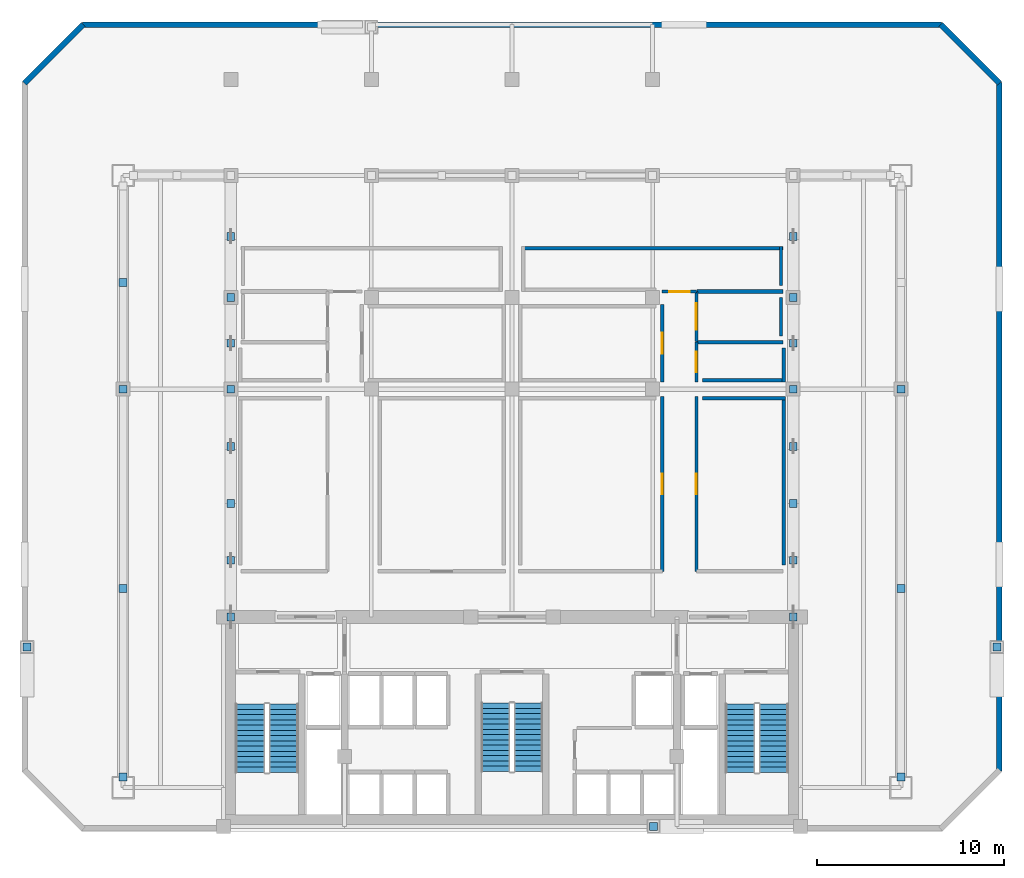
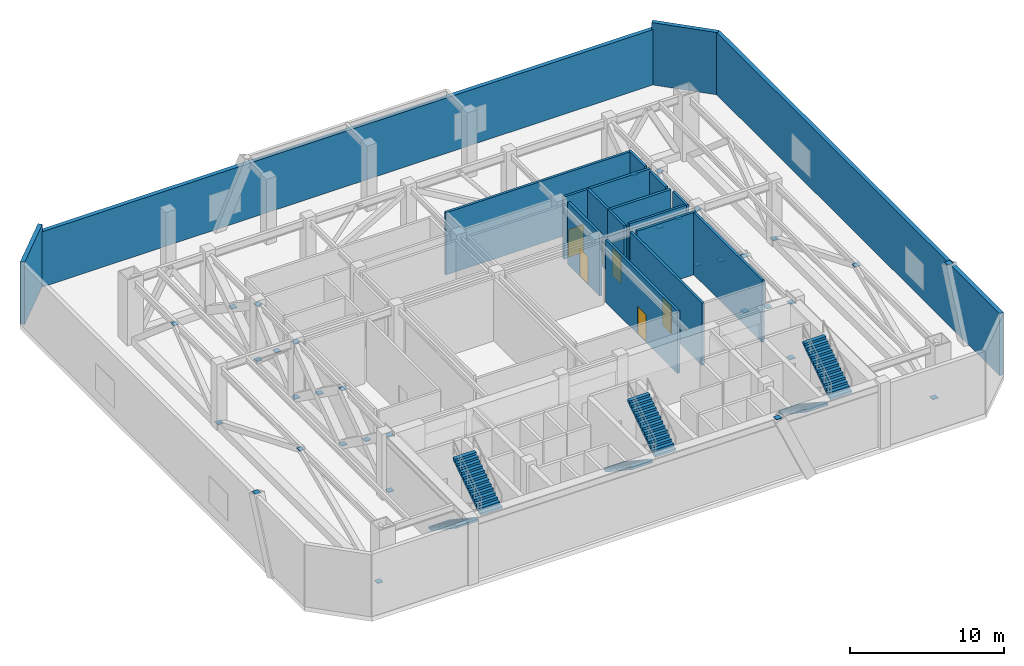
# One storey, part 7 of 10: 34 discrete accessories, 19 walls, 6 doors, 6 stair flights, 6 openings, 3 elements without a shape of their own.
"""IFC4 building model written with IfcOpenShell, lengths in metres."""

from ifc_helpers import new_model, si_unit, direction, frame, frame_2d, origin, origin_2d, place, context, subcontext, project, spatial, polyline, rectangle, outline, extrude, material, layer, layer_set, type_object, element, fill, aggregate, save


model = new_model("IFC4")

# Units and contexts
model_context = context("Model", 3, precision=1e-05, world=origin(), true_north=direction((0.0, 1.0)))
body_context = subcontext(model_context, "Body", "Model", "MODEL_VIEW")
ifc_project = project(units=[si_unit("LENGTHUNIT", "METRE"), si_unit("AREAUNIT", "SQUARE_METRE"), si_unit("VOLUMEUNIT", "CUBIC_METRE"), si_unit("PLANEANGLEUNIT", "RADIAN"), si_unit("MASSUNIT", "GRAM", prefix="KILO")], contexts=[model_context])

# Site, building, storey
site_placement = place(None, origin())
site = spatial("IfcSite", under=ifc_project, at=site_placement, CompositionType="ELEMENT")
building_placement = place(site_placement, origin())
building = spatial("IfcBuilding", under=site, at=building_placement, Name="Ventersveld Concourse Tower", CompositionType="ELEMENT")
storey_placement = place(building_placement, frame((0.0, 0.0, 134.949951171875)))
storey = spatial("IfcBuildingStorey", under=building, at=storey_placement, Name="L33", CompositionType="ELEMENT", Elevation=134.949951171875)

# Wall, opening, door
ifc_material_1 = material(Name="Fire-rated autoclaved aerated masonry blockwork", Category="masonry")
ifc_layer_1 = layer(ifc_material_1, 0.179931640625)
ifc_layer_set_1 = layer_set([ifc_layer_1], Name="Fire-rated autoclaved aerated masonry blockwork")
wall_type_1 = type_object("IfcWallType", Name="WL-CORR-180", PredefinedType="PARTITIONING", material=ifc_layer_set_1)
wall_1_placement = place(storey_placement, frame((36.760009765625, 13.885009765625, 0.0), z_axis=(0.0, 0.0, 1.0), x_axis=(0.0, 1.0, 0.0)))
wall_1 = element("IfcWall", 1, at=wall_1_placement, inside=storey, type_object=wall_type_1, Name="L33 Interior Partition SP-L33-PCOR-SP-L33-REF-3", PredefinedType="PARTITIONING", context=body_context, shape_type="SweptSolid", body=[
    extrude(rectangle(XDim=9.330078125, YDim=0.179931640625, at=frame_2d((4.6650390625, 0.0))), origin(), (0.0, 0.0, 1.0), 4.920166015625),
])
opening_1_placement = place(wall_1_placement, frame((4.114990234375, 0.0, 0.0)))
opening_1 = element("IfcOpeningElement", 2, at=opening_1_placement, cuts=wall_1, Name="Opening FD2", PredefinedType="OPENING", context=body_context, shape_type="SweptSolid", body=[
    extrude(rectangle(XDim=1.10009765625, YDim=2.199951171875, at=frame_2d((0.550048828125, 1.10009765625))), frame((0.0, 0.10009765625, 0.0), z_axis=(0.0, -1.0, 0.0), x_axis=(1.0, 0.0, 0.0)), (0.0, 0.0, 1.0), 0.199951171875),
])
ifc_material_2 = material(Name="Galvanised painted steel", Category="steel")
door_type_1 = type_object("IfcDoorType", Name="DR-FFL-110", OperationType="NOTDEFINED", PredefinedType="DOOR", material=ifc_material_2)
door_1_placement = place(opening_1_placement, origin())
door_1 = element("IfcDoor", 3, at=door_1_placement, inside=storey, type_object=door_type_1, Name="L33 Interior Door SP-L33-PCOR to SP-L33-REF-3 (FD-L33-1645)", OperationType="SINGLE_SWING_LEFT", OverallHeight=2.199951171875, OverallWidth=1.10009765625, PredefinedType="DOOR", context=body_context, shape_type="SweptSolid", body=[
    extrude(rectangle(XDim=1.10009765625, YDim=2.199951171875, at=frame_2d((0.550048828125, 1.10009765625))), frame((0.0, 0.02490234375, 0.0), z_axis=(0.0, -1.0, 0.0), x_axis=(1.0, 0.0, 0.0)), (0.0, 0.0, 1.0), 0.050048828125),
])
fill(opening_1, door_1)

wall_2_placement = place(storey_placement, frame((38.590087890625, 13.885009765625, 0.0), z_axis=(0.0, 0.0, 1.0), x_axis=(0.0, 1.0, 0.0)))
wall_2 = element("IfcWall", 4, at=wall_2_placement, inside=storey, type_object=wall_type_1, Name="L33 Interior Partition SP-L33-PCOR-SP-L33-REF-4", PredefinedType="PARTITIONING", context=body_context, shape_type="SweptSolid", body=[
    extrude(rectangle(XDim=9.330078125, YDim=0.179931640625, at=frame_2d((4.6650390625, 0.0))), origin(), (0.0, 0.0, 1.0), 4.920166015625),
])
opening_2_placement = place(wall_2_placement, frame((4.114990234375, 0.0, 0.0)))
opening_2 = element("IfcOpeningElement", 5, at=opening_2_placement, cuts=wall_2, Name="Opening FD2", PredefinedType="OPENING", context=body_context, shape_type="SweptSolid", body=[
    extrude(rectangle(XDim=1.10009765625, YDim=2.199951171875, at=frame_2d((0.550048828125, 1.10009765625))), frame((0.0, 0.10009765625, 0.0), z_axis=(0.0, -1.0, 0.0), x_axis=(1.0, 0.0, 0.0)), (0.0, 0.0, 1.0), 0.199951171875),
])
door_2_placement = place(opening_2_placement, origin())
door_2 = element("IfcDoor", 6, at=door_2_placement, inside=storey, type_object=door_type_1, Name="L33 Interior Door SP-L33-PCOR to SP-L33-REF-4 (FD-L33-1646)", OperationType="SINGLE_SWING_RIGHT", OverallHeight=2.199951171875, OverallWidth=1.10009765625, PredefinedType="DOOR", context=body_context, shape_type="SweptSolid", body=[
    extrude(rectangle(XDim=1.10009765625, YDim=2.199951171875, at=frame_2d((0.550048828125, 1.10009765625))), frame((0.0, 0.02490234375, 0.0), z_axis=(0.0, -1.0, 0.0), x_axis=(1.0, 0.0, 0.0)), (0.0, 0.0, 1.0), 0.050048828125),
])
fill(opening_2, door_2)

wall_3_placement = place(storey_placement, frame((36.760009765625, 23.985107421875, 0.0), z_axis=(0.0, 0.0, 1.0), x_axis=(0.0, 1.0, 0.0)))
wall_3 = element("IfcWall", 7, at=wall_3_placement, inside=storey, type_object=wall_type_1, Name="L33 Interior Partition SP-L33-PCOR-SP-L33-REF-6", PredefinedType="PARTITIONING", context=body_context, shape_type="SweptSolid", body=[
    extrude(rectangle(XDim=4.1298828125, YDim=0.179931640625, at=frame_2d((2.06494140625, 0.0))), origin(), (0.0, 0.0, 1.0), 4.920166015625),
])
opening_3_placement = place(wall_3_placement, frame((1.514892578125, 0.0, 0.0)))
opening_3 = element("IfcOpeningElement", 8, at=opening_3_placement, cuts=wall_3, Name="Opening FD2", PredefinedType="OPENING", context=body_context, shape_type="SweptSolid", body=[
    extrude(rectangle(XDim=1.10009765625, YDim=2.199951171875, at=frame_2d((0.550048828125, 1.10009765625))), frame((0.0, 0.10009765625, 0.0), z_axis=(0.0, -1.0, 0.0), x_axis=(1.0, 0.0, 0.0)), (0.0, 0.0, 1.0), 0.199951171875),
])
door_3_placement = place(opening_3_placement, origin())
door_3 = element("IfcDoor", 9, at=door_3_placement, inside=storey, type_object=door_type_1, Name="L33 Interior Door SP-L33-PCOR to SP-L33-REF-6 (FD-L33-1648)", OperationType="SINGLE_SWING_RIGHT", OverallHeight=2.199951171875, OverallWidth=1.10009765625, PredefinedType="DOOR", context=body_context, shape_type="SweptSolid", body=[
    extrude(rectangle(XDim=1.10009765625, YDim=2.199951171875, at=frame_2d((0.550048828125, 1.10009765625))), frame((0.0, 0.02490234375, 0.0), z_axis=(0.0, -1.0, 0.0), x_axis=(1.0, 0.0, 0.0)), (0.0, 0.0, 1.0), 0.050048828125),
])
fill(opening_3, door_3)

wall_4_placement = place(storey_placement, frame((36.7548828125, 28.81005859375, 0.0), z_axis=(0.0, 0.0, 1.0), x_axis=(1.0, 0.0, 0.0)))
wall_4 = element("IfcWall", 10, at=wall_4_placement, inside=storey, type_object=wall_type_1, Name="L33 Interior Partition SP-L33-PCOR-SP-L33-REF-8", PredefinedType="PARTITIONING", context=body_context, shape_type="SweptSolid", body=[
    extrude(rectangle(XDim=1.840087890625, YDim=0.179931640625, at=frame_2d((0.919921875, 0.0))), origin(), (0.0, 0.0, 1.0), 4.920166015625),
])
opening_4_placement = place(wall_4_placement, frame((0.3701171875, 0.0, 0.0)))
opening_4 = element("IfcOpeningElement", 11, at=opening_4_placement, cuts=wall_4, Name="Opening FD2", PredefinedType="OPENING", context=body_context, shape_type="SweptSolid", body=[
    extrude(rectangle(XDim=1.10009765625, YDim=2.199951171875, at=frame_2d((0.550048828125, 1.10009765625))), frame((0.0, 0.10009765625, 0.0), z_axis=(0.0, -1.0, 0.0), x_axis=(1.0, 0.0, 0.0)), (0.0, 0.0, 1.0), 0.199951171875),
])
door_4_placement = place(opening_4_placement, origin())
door_4 = element("IfcDoor", 12, at=door_4_placement, inside=storey, type_object=door_type_1, Name="L33 Interior Door SP-L33-PCOR to SP-L33-REF-8 (FD-L33-1650)", OperationType="SINGLE_SWING_RIGHT", OverallHeight=2.199951171875, OverallWidth=1.10009765625, PredefinedType="DOOR", context=body_context, shape_type="SweptSolid", body=[
    extrude(rectangle(XDim=1.10009765625, YDim=2.199951171875, at=frame_2d((0.550048828125, 1.10009765625))), frame((0.0, 0.02490234375, 0.0), z_axis=(0.0, -1.0, 0.0), x_axis=(1.0, 0.0, 0.0)), (0.0, 0.0, 1.0), 0.050048828125),
])
fill(opening_4, door_4)

wall_5_placement = place(storey_placement, frame((38.590087890625, 23.985107421875, 0.0), z_axis=(0.0, 0.0, 1.0), x_axis=(0.0, 1.0, 0.0)))
wall_5 = element("IfcWall", 13, at=wall_5_placement, inside=storey, type_object=wall_type_1, Name="L33 Interior Partition SP-L33-PCOR-SP-L33-REF-10", PredefinedType="PARTITIONING", context=body_context, shape_type="SweptSolid", body=[
    extrude(rectangle(XDim=2.1298828125, YDim=0.179931640625, at=frame_2d((1.06494140625, 0.0))), origin(), (0.0, 0.0, 1.0), 4.920166015625),
])
opening_5_placement = place(wall_5_placement, frame((0.514892578125, 0.0, 0.0)))
opening_5 = element("IfcOpeningElement", 14, at=opening_5_placement, cuts=wall_5, Name="Opening FD2", PredefinedType="OPENING", context=body_context, shape_type="SweptSolid", body=[
    extrude(rectangle(XDim=1.10009765625, YDim=2.199951171875, at=frame_2d((0.550048828125, 1.10009765625))), frame((0.0, 0.10009765625, 0.0), z_axis=(0.0, -1.0, 0.0), x_axis=(1.0, 0.0, 0.0)), (0.0, 0.0, 1.0), 0.199951171875),
])
door_5_placement = place(opening_5_placement, origin())
door_5 = element("IfcDoor", 15, at=door_5_placement, inside=storey, type_object=door_type_1, Name="L33 Interior Door SP-L33-PCOR to SP-L33-REF-10 (FD-L33-1652)", OperationType="SINGLE_SWING_RIGHT", OverallHeight=2.199951171875, OverallWidth=1.10009765625, PredefinedType="DOOR", context=body_context, shape_type="SweptSolid", body=[
    extrude(rectangle(XDim=1.10009765625, YDim=2.199951171875, at=frame_2d((0.550048828125, 1.10009765625))), frame((0.0, 0.02490234375, 0.0), z_axis=(0.0, -1.0, 0.0), x_axis=(1.0, 0.0, 0.0)), (0.0, 0.0, 1.0), 0.050048828125),
])
fill(opening_5, door_5)

wall_6_placement = place(storey_placement, frame((38.590087890625, 26.14501953125, 0.0), z_axis=(0.0, 0.0, 1.0), x_axis=(0.0, 1.0, 0.0)))
wall_6 = element("IfcWall", 16, at=wall_6_placement, inside=storey, type_object=wall_type_1, Name="L33 Interior Partition SP-L33-PCOR-SP-L33-PLT-CHL", PredefinedType="PARTITIONING", context=body_context, shape_type="SweptSolid", body=[
    extrude(rectangle(XDim=2.669921875, YDim=0.179931640625, at=frame_2d((1.3349609375, 0.0))), origin(), (0.0, 0.0, 1.0), 4.920166015625),
])
opening_6_placement = place(wall_6_placement, frame((0.635009765625, 0.0, 0.0)))
opening_6 = element("IfcOpeningElement", 17, at=opening_6_placement, cuts=wall_6, Name="Opening FD4", PredefinedType="OPENING", context=body_context, shape_type="SweptSolid", body=[
    extrude(rectangle(XDim=1.39990234375, YDim=2.199951171875, at=frame_2d((0.699951171875, 1.10009765625))), frame((0.0, 0.10009765625, 0.0), z_axis=(0.0, -1.0, 0.0), x_axis=(1.0, 0.0, 0.0)), (0.0, 0.0, 1.0), 0.199951171875),
])
door_type_2 = type_object("IfcDoorType", Name="DR-PLANT-140", OperationType="DOUBLE_DOOR_SINGLE_SWING", PredefinedType="DOOR", material=ifc_material_2)
door_6_placement = place(opening_6_placement, origin())
door_6 = element("IfcDoor", 18, at=door_6_placement, inside=storey, type_object=door_type_2, Name="L33 Interior Door SP-L33-PCOR to SP-L33-PLT-CHL (FD-L33-1654)", OperationType="DOUBLE_DOOR_SINGLE_SWING", OverallHeight=2.199951171875, OverallWidth=1.39990234375, PredefinedType="DOOR", context=body_context, shape_type="SweptSolid", body=[
    extrude(rectangle(XDim=1.39990234375, YDim=2.199951171875, at=frame_2d((0.699951171875, 1.10009765625))), frame((0.0, 0.02490234375, 0.0), z_axis=(0.0, -1.0, 0.0), x_axis=(1.0, 0.0, 0.0)), (0.0, 0.0, 1.0), 0.050048828125),
])
fill(opening_6, door_6)

# Walls
wall_7_placement = place(storey_placement, frame((43.25, 14.2109375, 0.0), z_axis=(0.0, 0.0, 1.0), x_axis=(0.0, 1.0, 0.0)))
element("IfcWall", 19, at=wall_7_placement, inside=storey, type_object=wall_type_1, Name="L33 Room Enclosure Wall SP-L33-REF-4", PredefinedType="PARTITIONING", context=body_context, shape_type="SweptSolid", body=[
    extrude(rectangle(XDim=9.004150390625, YDim=0.179931640625, at=frame_2d((4.501953125, 0.0))), origin(), (0.0, 0.0, 1.0), 4.920166015625),
])
wall_8_placement = place(storey_placement, frame((43.344970703125, 23.1201171875, 0.0), z_axis=(0.0, 0.0, 1.0), x_axis=(-1.0, 0.0, 0.0)))
element("IfcWall", 20, at=wall_8_placement, inside=storey, type_object=wall_type_1, Name="L33 Room Enclosure Wall SP-L33-REF-4", PredefinedType="PARTITIONING", context=body_context, shape_type="SweptSolid", body=[
    extrude(rectangle(XDim=4.429931640625, YDim=0.179931640625, at=frame_2d((2.21484375, 0.0))), origin(), (0.0, 0.0, 1.0), 4.920166015625),
])
wall_9_placement = place(storey_placement, frame((43.10009765625, 29.135009765625, 0.0), z_axis=(0.0, 0.0, 1.0), x_axis=(0.0, 1.0, 0.0)))
element("IfcWall", 21, at=wall_9_placement, inside=storey, type_object=wall_type_1, Name="L33 Room Enclosure Wall SP-L33-REF-8", PredefinedType="PARTITIONING", context=body_context, shape_type="SweptSolid", body=[
    extrude(rectangle(XDim=2.070068359375, YDim=0.179931640625, at=frame_2d((1.03515625, 0.0))), origin(), (0.0, 0.0, 1.0), 4.920166015625),
])
wall_10_placement = place(storey_placement, frame((43.195068359375, 31.110107421875, 0.0), z_axis=(0.0, 0.0, 1.0), x_axis=(-1.0, 0.0, 0.0)))
element("IfcWall", 22, at=wall_10_placement, inside=storey, type_object=wall_type_1, Name="L33 Room Enclosure Wall SP-L33-REF-8", PredefinedType="PARTITIONING", context=body_context, shape_type="SweptSolid", body=[
    extrude(rectangle(XDim=13.940185546875, YDim=0.179931640625, at=frame_2d((6.97021484375, 0.0))), origin(), (0.0, 0.0, 1.0), 4.920166015625),
])
wall_11_placement = place(storey_placement, frame((38.9150390625, 24.080078125, 0.0), z_axis=(0.0, 0.0, 1.0), x_axis=(1.0, 0.0, 0.0)))
element("IfcWall", 23, at=wall_11_placement, inside=storey, type_object=wall_type_1, Name="L33 Room Enclosure Wall SP-L33-REF-10", PredefinedType="PARTITIONING", context=body_context, shape_type="SweptSolid", body=[
    extrude(rectangle(XDim=4.429931640625, YDim=0.179931640625, at=frame_2d((2.21484375, 0.0))), origin(), (0.0, 0.0, 1.0), 4.920166015625),
])
wall_12_placement = place(storey_placement, frame((43.25, 23.985107421875, 0.0), z_axis=(0.0, 0.0, 1.0), x_axis=(0.0, 1.0, 0.0)))
element("IfcWall", 24, at=wall_12_placement, inside=storey, type_object=wall_type_1, Name="L33 Room Enclosure Wall SP-L33-REF-10", PredefinedType="PARTITIONING", context=body_context, shape_type="SweptSolid", body=[
    extrude(rectangle(XDim=1.803955078125, YDim=0.179931640625, at=frame_2d((0.90185546875, 0.0))), origin(), (0.0, 0.0, 1.0), 4.920166015625),
])
wall_13_placement = place(storey_placement, frame((43.10009765625, 26.43505859375, 0.0), z_axis=(0.0, 0.0, 1.0), x_axis=(0.0, 1.0, 0.0)))
element("IfcWall", 25, at=wall_13_placement, inside=storey, type_object=wall_type_1, Name="L33 Room Enclosure Wall SP-L33-PLT-CHL", PredefinedType="PARTITIONING", context=body_context, shape_type="SweptSolid", body=[
    extrude(rectangle(XDim=2.050048828125, YDim=0.179931640625, at=frame_2d((1.02490234375, 0.0))), origin(), (0.0, 0.0, 1.0), 4.920166015625),
])
ifc_layer_2 = layer(ifc_material_1, 0.199951171875)
ifc_layer_set_2 = layer_set([ifc_layer_2], Name="Fire-rated autoclaved aerated masonry blockwork")
wall_type_2 = type_object("IfcWallType", Name="WL-DEMISE-200", PredefinedType="PARTITIONING", material=ifc_layer_set_2)
wall_14_placement = place(storey_placement, frame((38.625, 28.81005859375, 0.0), z_axis=(0.0, 0.0, 1.0), x_axis=(1.0, 0.0, 0.0)))
element("IfcWall", 26, at=wall_14_placement, inside=storey, type_object=wall_type_2, Name="L33 Interior Partition SP-L33-REF-8-SP-L33-PLT-CHL", PredefinedType="PARTITIONING", context=body_context, shape_type="SweptSolid", body=[
    extrude(rectangle(XDim=4.570068359375, YDim=0.199951171875, at=frame_2d((2.28515625, 0.0))), origin(), (0.0, 0.0, 1.0), 4.920166015625),
])
wall_15_placement = place(storey_placement, frame((38.5849609375, 26.110107421875, 0.0), z_axis=(0.0, 0.0, 1.0), x_axis=(1.0, 0.0, 0.0)))
element("IfcWall", 27, at=wall_15_placement, inside=storey, type_object=wall_type_2, Name="L33 Interior Partition SP-L33-REF-10-SP-L33-PLT-CHL", PredefinedType="PARTITIONING", context=body_context, shape_type="SweptSolid", body=[
    extrude(rectangle(XDim=4.610107421875, YDim=0.199951171875, at=frame_2d((2.30517578125, 0.0))), origin(), (0.0, 0.0, 1.0), 4.920166015625),
])
ifc_material_3 = material(Name="Precast concrete C45/55", Category="concrete")
ifc_layer_3 = layer(ifc_material_3, 0.300048828125)
ifc_layer_set_3 = layer_set([ifc_layer_3], Name="Precast concrete C45/55")
wall_type_3 = type_object("IfcWallType", Name="WL-PREC-300", PredefinedType="SOLIDWALL", material=ifc_layer_set_3)
wall_16_placement = place(storey_placement, frame((54.75, 3.239990234375, 0.0), z_axis=(0.0, 0.0, 1.0), x_axis=(0.0, 1.0, 0.0)))
element("IfcWall", 28, at=wall_16_placement, inside=storey, type_object=wall_type_3, Name="L33 Highveld Precast Facade Wall E03", PredefinedType="SOLIDWALL", context=body_context, shape_type="SweptSolid", body=[
    extrude(rectangle(XDim=36.719970703125, YDim=0.300048828125, at=frame_2d((18.35986328125, 0.0))), origin(), (0.0, 0.0, 1.0), 4.920166015625),
])
wall_17_placement = place(storey_placement, frame((54.765625, 39.922119140625, 0.0), z_axis=(0.0, 0.0, 1.0), x_axis=(-0.707079321262, 0.707134240044, 0.0)))
element("IfcWall", 29, at=wall_17_placement, inside=storey, type_object=wall_type_3, Name="L33 Highveld Precast Facade Wall E04", PredefinedType="SOLIDWALL", context=body_context, shape_type="SweptSolid", body=[
    extrude(rectangle(XDim=4.445556640625, YDim=0.300048828125, at=frame_2d((2.22265625, 0.0))), origin(), (0.0, 0.0, 1.0), 4.920166015625),
])
wall_18_placement = place(storey_placement, frame((51.659912109375, 43.050048828125, 0.0), z_axis=(0.0, 0.0, 1.0), x_axis=(-1.0, 0.0, 0.0)))
element("IfcWall", 30, at=wall_18_placement, inside=storey, type_object=wall_type_3, Name="L33 Highveld Precast Facade Wall E05", PredefinedType="SOLIDWALL", context=body_context, shape_type="SweptSolid", body=[
    extrude(rectangle(XDim=45.81982421875, YDim=0.300048828125, at=frame_2d((22.909912109375, 0.0))), origin(), (0.0, 0.0, 1.0), 4.37548828125),
])
wall_19_placement = place(storey_placement, frame((5.877685546875, 43.065673828125, 0.0), z_axis=(0.0, 0.0, 1.0), x_axis=(-0.707079321262, -0.707134240044, 0.0)))
element("IfcWall", 31, at=wall_19_placement, inside=storey, type_object=wall_type_3, Name="L33 Highveld Precast Facade Wall E06", PredefinedType="SOLIDWALL", context=body_context, shape_type="SweptSolid", body=[
    extrude(rectangle(XDim=4.445556640625, YDim=0.300048828125, at=frame_2d((2.22265625, 0.0))), origin(), (0.0, 0.0, 1.0), 4.920166015625),
])

# Stair, stair flights
ifc_material_4 = material(Name="Concrete C50/60", Category="concrete")
stair_type_1 = type_object("IfcStairType", Name="ST-DOG-155", PredefinedType="HALF_TURN_STAIR", material=ifc_material_4)
stair_1_placement = place(storey_placement, origin())
stair_1 = element("IfcStair", 32, at=stair_1_placement, inside=storey, type_object=stair_type_1, Name="L33 Protected Central Core Escape Stair ST-03", PredefinedType="HALF_TURN_STAIR")
stair_flight_type_1 = type_object("IfcStairFlightType", Name="STF-RC-155", PredefinedType="STRAIGHT", material=ifc_material_4)
stair_flight_1_placement = place(storey_placement, frame((27.875, 6.85009765625, 0.0), z_axis=(0.0, 0.0, 1.0), x_axis=(0.0, -1.0, 0.0)))
stair_flight_1 = element("IfcStairFlight", 33, at=stair_flight_1_placement, type_object=stair_flight_type_1, Name="ST-03 flight 1", NumberOfRisers=14, NumberOfTreads=13, PredefinedType="STRAIGHT", RiserHeight=0.185714286, TreadLength=0.28, context=body_context, shape_type="SweptSolid", body=[
    extrude(outline(polyline([(0.0, 0.0), (0.0, 0.185791015625), (0.280029296875, 0.185791015625), (0.280029296875, 0.371337890625), (0.56005859375, 0.371337890625), (0.56005859375, 0.55712890625), (0.840087890625, 0.55712890625), (0.840087890625, 0.742919921875), (1.1201171875, 0.742919921875), (1.1201171875, 0.928466796875), (1.39990234375, 0.928466796875), (1.39990234375, 1.1142578125), (1.679931640625, 1.1142578125), (1.679931640625, 1.300048828125), (1.9599609375, 1.300048828125), (1.9599609375, 1.485595703125), (2.239990234375, 1.485595703125), (2.239990234375, 1.67138671875), (2.52001953125, 1.67138671875), (2.52001953125, 1.857177734375), (2.800048828125, 1.857177734375), (2.800048828125, 2.04296875), (3.080078125, 2.04296875), (3.080078125, 2.228515625), (3.360107421875, 2.228515625), (3.360107421875, 2.414306640625), (3.639892578125, 2.414306640625), (3.639892578125, 2.60009765625), (3.639892578125, 2.234375), (0.271240234375, 0.0), (0.0, 0.0)])), frame((0.0, 0.77490234375, 0.0), z_axis=(0.0, -1.0, 0.0), x_axis=(1.0, 0.0, 0.0)), (0.0, 0.0, 1.0), 1.550048828125),
])
stair_flight_2_placement = place(storey_placement, frame((29.625, 3.2099609375, 2.60009765625), z_axis=(0.0, 0.0, 1.0), x_axis=(0.0, 1.0, 0.0)))
stair_flight_2 = element("IfcStairFlight", 34, at=stair_flight_2_placement, type_object=stair_flight_type_1, Name="ST-03 flight 2", NumberOfRisers=14, NumberOfTreads=13, PredefinedType="STRAIGHT", RiserHeight=0.185714286, TreadLength=0.28, context=body_context, shape_type="SweptSolid", body=[
    extrude(outline(polyline([(0.0, 0.0), (0.0, 0.185791015625), (0.280029296875, 0.185791015625), (0.280029296875, 0.371337890625), (0.56005859375, 0.371337890625), (0.56005859375, 0.55712890625), (0.840087890625, 0.55712890625), (0.840087890625, 0.742919921875), (1.1201171875, 0.742919921875), (1.1201171875, 0.928466796875), (1.39990234375, 0.928466796875), (1.39990234375, 1.1142578125), (1.679931640625, 1.1142578125), (1.679931640625, 1.300048828125), (1.9599609375, 1.300048828125), (1.9599609375, 1.485595703125), (2.239990234375, 1.485595703125), (2.239990234375, 1.67138671875), (2.52001953125, 1.67138671875), (2.52001953125, 1.857177734375), (2.800048828125, 1.857177734375), (2.800048828125, 2.04296875), (3.080078125, 2.04296875), (3.080078125, 2.228515625), (3.360107421875, 2.228515625), (3.360107421875, 2.414306640625), (3.639892578125, 2.414306640625), (3.639892578125, 2.60009765625), (3.639892578125, 2.234375), (0.271240234375, 0.0), (0.0, 0.0)])), frame((0.0, 0.77490234375, 0.0), z_axis=(0.0, -1.0, 0.0), x_axis=(1.0, 0.0, 0.0)), (0.0, 0.0, 1.0), 1.550048828125),
])
aggregate(stair_1, [stair_flight_1, stair_flight_2])

stair_type_2 = type_object("IfcStairType", Name="ST-DOG-160", PredefinedType="HALF_TURN_STAIR", material=ifc_material_4)
stair_2_placement = place(storey_placement, origin())
stair_2 = element("IfcStair", 35, at=stair_2_placement, inside=storey, type_object=stair_type_2, Name="L33 Protected Tower Escape Stair ST-01", PredefinedType="HALF_TURN_STAIR")
stair_flight_type_2 = type_object("IfcStairFlightType", Name="STF-RC-160", PredefinedType="STRAIGHT", material=ifc_material_4)
stair_flight_3_placement = place(storey_placement, frame((14.780029296875, 6.800048828125, 0.0), z_axis=(0.0, 0.0, 1.0), x_axis=(0.0, -1.0, 0.0)))
stair_flight_3 = element("IfcStairFlight", 36, at=stair_flight_3_placement, type_object=stair_flight_type_2, Name="ST-01 flight 1", NumberOfRisers=14, NumberOfTreads=13, PredefinedType="STRAIGHT", RiserHeight=0.185714286, TreadLength=0.28, context=body_context, shape_type="SweptSolid", body=[
    extrude(outline(polyline([(0.0, 0.0), (0.0, 0.185791015625), (0.280029296875, 0.185791015625), (0.280029296875, 0.371337890625), (0.56005859375, 0.371337890625), (0.56005859375, 0.55712890625), (0.840087890625, 0.55712890625), (0.840087890625, 0.742919921875), (1.1201171875, 0.742919921875), (1.1201171875, 0.928466796875), (1.39990234375, 0.928466796875), (1.39990234375, 1.1142578125), (1.679931640625, 1.1142578125), (1.679931640625, 1.300048828125), (1.9599609375, 1.300048828125), (1.9599609375, 1.485595703125), (2.239990234375, 1.485595703125), (2.239990234375, 1.67138671875), (2.52001953125, 1.67138671875), (2.52001953125, 1.857177734375), (2.800048828125, 1.857177734375), (2.800048828125, 2.04296875), (3.080078125, 2.04296875), (3.080078125, 2.228515625), (3.360107421875, 2.228515625), (3.360107421875, 2.414306640625), (3.639892578125, 2.414306640625), (3.639892578125, 2.60009765625), (3.639892578125, 2.234375), (0.271240234375, 0.0), (0.0, 0.0)])), frame((0.0, 0.800048828125, 0.0), z_axis=(0.0, -1.0, 0.0), x_axis=(1.0, 0.0, 0.0)), (0.0, 0.0, 1.0), 1.60009765625),
])
stair_flight_4_placement = place(storey_placement, frame((16.580078125, 3.159912109375, 2.60009765625), z_axis=(0.0, 0.0, 1.0), x_axis=(0.0, 1.0, 0.0)))
stair_flight_4 = element("IfcStairFlight", 37, at=stair_flight_4_placement, type_object=stair_flight_type_2, Name="ST-01 flight 2", NumberOfRisers=14, NumberOfTreads=13, PredefinedType="STRAIGHT", RiserHeight=0.185714286, TreadLength=0.28, context=body_context, shape_type="SweptSolid", body=[
    extrude(outline(polyline([(0.0, 0.0), (0.0, 0.185791015625), (0.280029296875, 0.185791015625), (0.280029296875, 0.371337890625), (0.56005859375, 0.371337890625), (0.56005859375, 0.55712890625), (0.840087890625, 0.55712890625), (0.840087890625, 0.742919921875), (1.1201171875, 0.742919921875), (1.1201171875, 0.928466796875), (1.39990234375, 0.928466796875), (1.39990234375, 1.1142578125), (1.679931640625, 1.1142578125), (1.679931640625, 1.300048828125), (1.9599609375, 1.300048828125), (1.9599609375, 1.485595703125), (2.239990234375, 1.485595703125), (2.239990234375, 1.67138671875), (2.52001953125, 1.67138671875), (2.52001953125, 1.857177734375), (2.800048828125, 1.857177734375), (2.800048828125, 2.04296875), (3.080078125, 2.04296875), (3.080078125, 2.228515625), (3.360107421875, 2.228515625), (3.360107421875, 2.414306640625), (3.639892578125, 2.414306640625), (3.639892578125, 2.60009765625), (3.639892578125, 2.234375), (0.271240234375, 0.0), (0.0, 0.0)])), frame((0.0, 0.800048828125, 0.0), z_axis=(0.0, -1.0, 0.0), x_axis=(1.0, 0.0, 0.0)), (0.0, 0.0, 1.0), 1.60009765625),
])
aggregate(stair_2, [stair_flight_3, stair_flight_4])

stair_3_placement = place(storey_placement, origin())
stair_3 = element("IfcStair", 38, at=stair_3_placement, inside=storey, type_object=stair_type_2, Name="L33 Protected Tower Escape Stair ST-02", PredefinedType="HALF_TURN_STAIR")
stair_flight_5_placement = place(storey_placement, frame((40.919921875, 6.800048828125, 0.0), z_axis=(0.0, 0.0, 1.0), x_axis=(0.0, -1.0, 0.0)))
stair_flight_5 = element("IfcStairFlight", 39, at=stair_flight_5_placement, type_object=stair_flight_type_2, Name="ST-02 flight 1", NumberOfRisers=14, NumberOfTreads=13, PredefinedType="STRAIGHT", RiserHeight=0.185714286, TreadLength=0.28, context=body_context, shape_type="SweptSolid", body=[
    extrude(outline(polyline([(0.0, 0.0), (0.0, 0.185791015625), (0.280029296875, 0.185791015625), (0.280029296875, 0.371337890625), (0.56005859375, 0.371337890625), (0.56005859375, 0.55712890625), (0.840087890625, 0.55712890625), (0.840087890625, 0.742919921875), (1.1201171875, 0.742919921875), (1.1201171875, 0.928466796875), (1.39990234375, 0.928466796875), (1.39990234375, 1.1142578125), (1.679931640625, 1.1142578125), (1.679931640625, 1.300048828125), (1.9599609375, 1.300048828125), (1.9599609375, 1.485595703125), (2.239990234375, 1.485595703125), (2.239990234375, 1.67138671875), (2.52001953125, 1.67138671875), (2.52001953125, 1.857177734375), (2.800048828125, 1.857177734375), (2.800048828125, 2.04296875), (3.080078125, 2.04296875), (3.080078125, 2.228515625), (3.360107421875, 2.228515625), (3.360107421875, 2.414306640625), (3.639892578125, 2.414306640625), (3.639892578125, 2.60009765625), (3.639892578125, 2.234375), (0.271240234375, 0.0), (0.0, 0.0)])), frame((0.0, 0.800048828125, 0.0), z_axis=(0.0, -1.0, 0.0), x_axis=(1.0, 0.0, 0.0)), (0.0, 0.0, 1.0), 1.60009765625),
])
stair_flight_6_placement = place(storey_placement, frame((42.719970703125, 3.159912109375, 2.60009765625), z_axis=(0.0, 0.0, 1.0), x_axis=(0.0, 1.0, 0.0)))
stair_flight_6 = element("IfcStairFlight", 40, at=stair_flight_6_placement, type_object=stair_flight_type_2, Name="ST-02 flight 2", NumberOfRisers=14, NumberOfTreads=13, PredefinedType="STRAIGHT", RiserHeight=0.185714286, TreadLength=0.28, context=body_context, shape_type="SweptSolid", body=[
    extrude(outline(polyline([(0.0, 0.0), (0.0, 0.185791015625), (0.280029296875, 0.185791015625), (0.280029296875, 0.371337890625), (0.56005859375, 0.371337890625), (0.56005859375, 0.55712890625), (0.840087890625, 0.55712890625), (0.840087890625, 0.742919921875), (1.1201171875, 0.742919921875), (1.1201171875, 0.928466796875), (1.39990234375, 0.928466796875), (1.39990234375, 1.1142578125), (1.679931640625, 1.1142578125), (1.679931640625, 1.300048828125), (1.9599609375, 1.300048828125), (1.9599609375, 1.485595703125), (2.239990234375, 1.485595703125), (2.239990234375, 1.67138671875), (2.52001953125, 1.67138671875), (2.52001953125, 1.857177734375), (2.800048828125, 1.857177734375), (2.800048828125, 2.04296875), (3.080078125, 2.04296875), (3.080078125, 2.228515625), (3.360107421875, 2.228515625), (3.360107421875, 2.414306640625), (3.639892578125, 2.414306640625), (3.639892578125, 2.60009765625), (3.639892578125, 2.234375), (0.271240234375, 0.0), (0.0, 0.0)])), frame((0.0, 0.800048828125, 0.0), z_axis=(0.0, -1.0, 0.0), x_axis=(1.0, 0.0, 0.0)), (0.0, 0.0, 1.0), 1.60009765625),
])
aggregate(stair_3, [stair_flight_5, stair_flight_6])

# Discrete accessories
ifc_material_5 = material(Name="Structural steel S355J2", Category="steel")
discrete_accessory_type = type_object("IfcDiscreteAccessoryType", Name="CONN-BRACE-ECP1", PredefinedType="BRACKET", material=ifc_material_5)
for number, where, z_axis, x_axis, name in (
    (41, (13.75, 11.449951171875, 0.280029296875), (0.0, 0.0, 1.0), (1.0, 0.0, 0.0), "L33 Steel Brace End Connection Plate ECP1-0037"),
    (42, (13.75, 17.5, 4.650146484375), (0.0, 0.0, 1.0), (1.0, 0.0, 0.0), "L33 Steel Brace End Connection Plate ECP1-0038"),
    (43, (13.75, 11.449951171875, 4.650146484375), (0.0, 0.0, 1.0), (1.0, 0.0, 0.0), "L33 Steel Brace End Connection Plate ECP1-0039"),
    (44, (13.75, 14.47509765625, 2.465087890625), (0.0, 0.0, 1.0), (1.0, 0.0, 0.0), "L33 Steel Brace End Connection Plate ECP1-0040"),
    (45, (13.75, 17.5, 0.280029296875), (0.0, 0.0, 1.0), (1.0, 0.0, 0.0), "L33 Steel Brace End Connection Plate ECP1-0041"),
    (46, (13.75, 23.60009765625, 0.280029296875), (0.0, 0.0, 1.0), (1.0, 0.0, 0.0), "L33 Steel Brace End Connection Plate ECP1-0042"),
    (47, (13.75, 20.550048828125, 2.465087890625), (0.0, 0.0, 1.0), (1.0, 0.0, 0.0), "L33 Steel Brace End Connection Plate ECP1-0043"),
    (48, (13.75, 23.60009765625, 4.650146484375), (0.0, 0.0, 1.0), (1.0, 0.0, 0.0), "L33 Steel Brace End Connection Plate ECP1-0044"),
    (49, (13.75, 28.5, 4.650146484375), (0.0, 0.0, 1.0), (1.0, 0.0, 0.0), "L33 Steel Brace End Connection Plate ECP1-0045"),
    (50, (13.75, 26.050048828125, 2.465087890625), (0.0, 0.0, 1.0), (1.0, 0.0, 0.0), "L33 Steel Brace End Connection Plate ECP1-0046"),
    (51, (13.75, 28.5, 0.280029296875), (0.0, 0.0, 1.0), (1.0, 0.0, 0.0), "L33 Steel Brace End Connection Plate ECP1-0047"),
    (52, (13.75, 31.75, 2.465087890625), (0.0, 0.0, 1.0), (1.0, 0.0, 0.0), "L33 Steel Brace End Connection Plate ECP1-0049"),
    (53, (43.75, 11.449951171875, 0.280029296875), (0.0, 0.0, 1.0), (1.0, 0.0, 0.0), "L33 Steel Brace End Connection Plate ECP1-0051"),
    (54, (43.75, 17.5, 4.650146484375), (0.0, 0.0, 1.0), (1.0, 0.0, 0.0), "L33 Steel Brace End Connection Plate ECP1-0052"),
    (55, (43.75, 11.449951171875, 4.650146484375), (0.0, 0.0, 1.0), (1.0, 0.0, 0.0), "L33 Steel Brace End Connection Plate ECP1-0053"),
    (56, (43.75, 14.47509765625, 2.465087890625), (0.0, 0.0, 1.0), (1.0, 0.0, 0.0), "L33 Steel Brace End Connection Plate ECP1-0054"),
    (57, (43.75, 17.5, 0.280029296875), (0.0, 0.0, 1.0), (1.0, 0.0, 0.0), "L33 Steel Brace End Connection Plate ECP1-0055"),
    (58, (43.75, 23.60009765625, 0.280029296875), (0.0, 0.0, 1.0), (1.0, 0.0, 0.0), "L33 Steel Brace End Connection Plate ECP1-0056"),
    (59, (43.75, 20.550048828125, 2.465087890625), (0.0, 0.0, 1.0), (1.0, 0.0, 0.0), "L33 Steel Brace End Connection Plate ECP1-0057"),
    (60, (43.75, 23.60009765625, 4.650146484375), (0.0, 0.0, 1.0), (1.0, 0.0, 0.0), "L33 Steel Brace End Connection Plate ECP1-0058"),
    (61, (43.75, 28.5, 4.650146484375), (0.0, 0.0, 1.0), (1.0, 0.0, 0.0), "L33 Steel Brace End Connection Plate ECP1-0059"),
    (62, (43.75, 26.050048828125, 2.465087890625), (0.0, 0.0, 1.0), (1.0, 0.0, 0.0), "L33 Steel Brace End Connection Plate ECP1-0060"),
    (63, (43.75, 28.5, 0.280029296875), (0.0, 0.0, 1.0), (1.0, 0.0, 0.0), "L33 Steel Brace End Connection Plate ECP1-0061"),
    (64, (43.75, 31.75, 2.465087890625), (0.0, 0.0, 1.0), (1.0, 0.0, 0.0), "L33 Steel Brace End Connection Plate ECP1-0063"),
    (65, (8.0, 2.9150390625, 0.280029296875), (0.0, 0.0, 1.0), (1.0, 0.0, 0.0), "L33 Steel Brace End Connection Plate ECP1-0072"),
    (66, (8.0, 12.97509765625, 4.650146484375), (0.0, 0.0, 1.0), (1.0, 0.0, 0.0), "L33 Steel Brace End Connection Plate ECP1-0073"),
    (67, (8.0, 23.60009765625, 0.280029296875), (0.0, 0.0, 1.0), (1.0, 0.0, 0.0), "L33 Steel Brace End Connection Plate ECP1-0074"),
    (68, (8.0, 29.300048828125, 4.650146484375), (0.0, 0.0, 1.0), (1.0, 0.0, 0.0), "L33 Steel Brace End Connection Plate ECP1-0075"),
    (69, (49.5, 2.9150390625, 0.280029296875), (0.0, 0.0, 1.0), (1.0, 0.0, 0.0), "L33 Steel Brace End Connection Plate ECP1-0077"),
    (70, (49.5, 12.97509765625, 4.650146484375), (0.0, 0.0, 1.0), (1.0, 0.0, 0.0), "L33 Steel Brace End Connection Plate ECP1-0078"),
    (71, (49.5, 23.60009765625, 0.280029296875), (0.0, 0.0, 1.0), (1.0, 0.0, 0.0), "L33 Steel Brace End Connection Plate ECP1-0079"),
    (72, (36.300048828125, 0.280029296875, 4.900146484375), (0.0, 0.0, 1.0), (1.0, 0.0, 0.0), "L33 Steel Brace End Connection Plate ECP1-0307"),
    (73, (2.8798828125, 9.85009765625, 4.900146484375), (0.0, 0.0, 1.0), (1.0, 0.0, 0.0), "L33 Steel Brace End Connection Plate ECP1-0311"),
    (74, (54.6201171875, 9.85009765625, 4.900146484375), (0.0, 0.0, 1.0), (1.0, 0.0, 0.0), "L33 Steel Brace End Connection Plate ECP1-0315"),
):
    element("IfcDiscreteAccessory", number, at=place(storey_placement, frame(where, z_axis=z_axis, x_axis=x_axis)), inside=storey, type_object=discrete_accessory_type, Name=name, PredefinedType="BRACKET", context=body_context, shape_type="SweptSolid", body=[
        extrude(rectangle(XDim=0.419921875, YDim=0.419921875, at=origin_2d()), origin(), (0.0, 0.0, 1.0), 0.0400390625),
    ])

save(model, "model.ifc")
